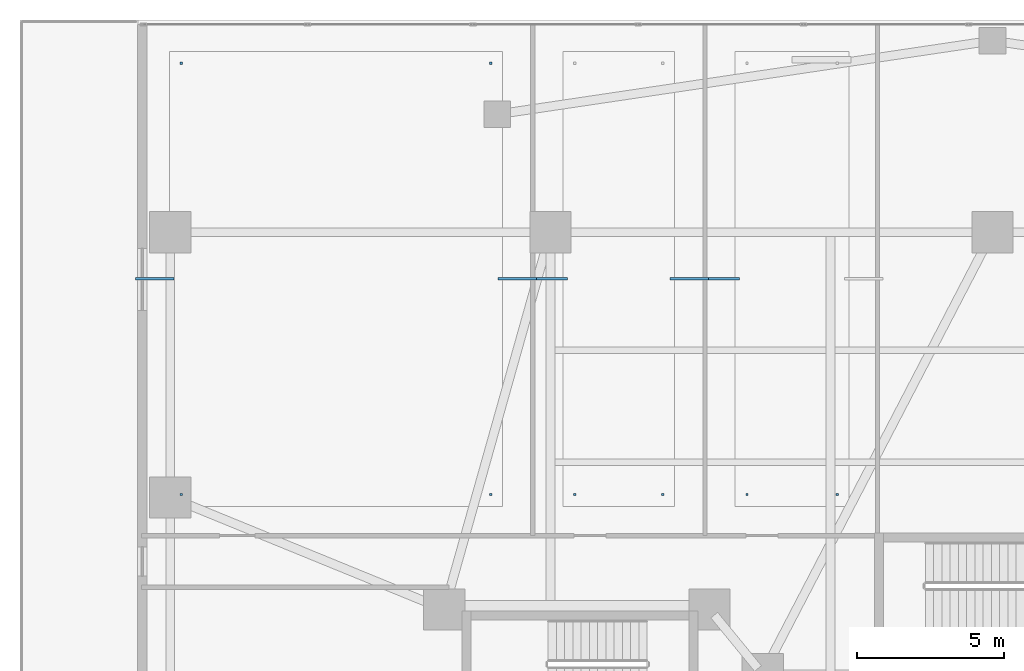
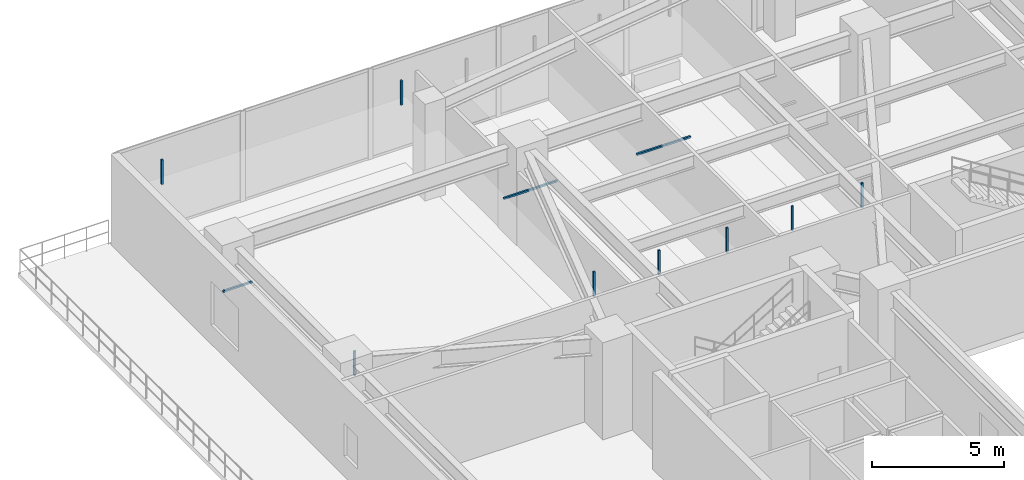
# One storey, part 23 of 29: 13 discrete accessories.
"""IFC4 building model written with IfcOpenShell, lengths in metres."""

from ifc_helpers import new_model, si_unit, direction, frame, origin, origin_2d, place, context, subcontext, project, spatial, rectangle, extrude, material, type_object, element, save


model = new_model("IFC4")

# Units and contexts
model_context = context("Model", 3, precision=1e-05, world=origin(), true_north=direction((0.0, 1.0)))
body_context = subcontext(model_context, "Body", "Model", "MODEL_VIEW")
ifc_project = project(units=[si_unit("LENGTHUNIT", "METRE"), si_unit("AREAUNIT", "SQUARE_METRE"), si_unit("VOLUMEUNIT", "CUBIC_METRE"), si_unit("PLANEANGLEUNIT", "RADIAN"), si_unit("MASSUNIT", "GRAM", prefix="KILO")], contexts=[model_context])

# Site, building, storey
site_placement = place(None, origin())
site = spatial("IfcSite", under=ifc_project, at=site_placement, CompositionType="ELEMENT")
building_placement = place(site_placement, origin())
building = spatial("IfcBuilding", under=site, at=building_placement, Name="Tarnavaz Court Tower", CompositionType="ELEMENT")
storey_placement = place(building_placement, frame((0.0, 0.0, 5.39990234375)))
storey = spatial("IfcBuildingStorey", under=building, at=storey_placement, Name="L01", CompositionType="ELEMENT", Elevation=5.39990234375)

# Discrete accessories
ifc_material = material(Name="Anodised Aluminium 6063-T6", Category="aluminium")
discrete_accessory_type = type_object("IfcDiscreteAccessoryType", Name="DA-BRKT-ALU", PredefinedType="BRACKET", material=ifc_material)
for number, where, z_axis, x_axis, name in (
    (1, (-27.530029296875, 13.89990234375, 3.09033203125), (0.0, 0.0, 1.0), (1.0, 0.0, 0.0), "L01 Ceiling Suspension Hanger Bracket 01-1"),
    (2, (-17.030029296875, 13.89990234375, 3.09033203125), (0.0, 0.0, 1.0), (1.0, 0.0, 0.0), "L01 Ceiling Suspension Hanger Bracket 01-2"),
    (3, (-17.030029296875, 28.530029296875, 3.09033203125), (0.0, 0.0, 1.0), (1.0, 0.0, 0.0), "L01 Ceiling Suspension Hanger Bracket 01-3"),
    (4, (-27.530029296875, 28.530029296875, 3.09033203125), (0.0, 0.0, 1.0), (1.0, 0.0, 0.0), "L01 Ceiling Suspension Hanger Bracket 01-4"),
):
    element("IfcDiscreteAccessory", number, at=place(storey_placement, frame(where, z_axis=z_axis, x_axis=x_axis)), inside=storey, type_object=discrete_accessory_type, Name=name, PredefinedType="BRACKET", context=body_context, shape_type="SweptSolid", body=[
        extrude(rectangle(XDim=0.080078125, YDim=0.080078125, at=origin_2d()), origin(), (0.0, 0.0, 1.0), 1.139892578125),
    ])
for number, where, z_axis, x_axis, name in (
    (5, (-28.429931640625, 21.215087890625, 3.052490234375), (0.0, 0.0, 1.0), (1.0, 0.0, 0.0), "L01 Ceiling Perimeter Wall-Tie Bracket 01-1"),
    (6, (-16.1298828125, 21.215087890625, 3.052490234375), (0.0, 0.0, 1.0), (1.0, 0.0, 0.0), "L01 Ceiling Perimeter Wall-Tie Bracket 01-2"),
):
    element("IfcDiscreteAccessory", number, at=place(storey_placement, frame(where, z_axis=z_axis, x_axis=x_axis)), inside=storey, type_object=discrete_accessory_type, Name=name, PredefinedType="BRACKET", context=body_context, shape_type="SweptSolid", body=[
        extrude(rectangle(XDim=1.300048828125, YDim=0.080078125, at=origin_2d()), origin(), (0.0, 0.0, 1.0), 0.080078125),
    ])
for number, where, z_axis, x_axis, name in (
    (7, (-14.169921875, 13.89990234375, 3.09033203125), (0.0, 0.0, 1.0), (1.0, 0.0, 0.0), "L01 Ceiling Suspension Hanger Bracket 02-1"),
    (8, (-11.18994140625, 13.89990234375, 3.09033203125), (0.0, 0.0, 1.0), (1.0, 0.0, 0.0), "L01 Ceiling Suspension Hanger Bracket 02-2"),
):
    element("IfcDiscreteAccessory", number, at=place(storey_placement, frame(where, z_axis=z_axis, x_axis=x_axis)), inside=storey, type_object=discrete_accessory_type, Name=name, PredefinedType="BRACKET", context=body_context, shape_type="SweptSolid", body=[
        extrude(rectangle(XDim=0.080078125, YDim=0.080078125, at=origin_2d()), origin(), (0.0, 0.0, 1.0), 1.139892578125),
    ])
for number, where, z_axis, x_axis, name in (
    (9, (-15.070068359375, 21.215087890625, 3.052490234375), (0.0, 0.0, 1.0), (1.0, 0.0, 0.0), "L01 Ceiling Perimeter Wall-Tie Bracket 02-1"),
    (10, (-10.2900390625, 21.215087890625, 3.052490234375), (0.0, 0.0, 1.0), (1.0, 0.0, 0.0), "L01 Ceiling Perimeter Wall-Tie Bracket 02-2"),
):
    element("IfcDiscreteAccessory", number, at=place(storey_placement, frame(where, z_axis=z_axis, x_axis=x_axis)), inside=storey, type_object=discrete_accessory_type, Name=name, PredefinedType="BRACKET", context=body_context, shape_type="SweptSolid", body=[
        extrude(rectangle(XDim=1.300048828125, YDim=0.080078125, at=origin_2d()), origin(), (0.0, 0.0, 1.0), 0.080078125),
    ])
for number, where, z_axis, x_axis, name in (
    (11, (-8.330078125, 13.89990234375, 3.09033203125), (0.0, 0.0, 1.0), (1.0, 0.0, 0.0), "L01 Ceiling Suspension Hanger Bracket 03-1"),
    (12, (-5.27001953125, 13.89990234375, 3.09033203125), (0.0, 0.0, 1.0), (1.0, 0.0, 0.0), "L01 Ceiling Suspension Hanger Bracket 03-2"),
):
    element("IfcDiscreteAccessory", number, at=place(storey_placement, frame(where, z_axis=z_axis, x_axis=x_axis)), inside=storey, type_object=discrete_accessory_type, Name=name, PredefinedType="BRACKET", context=body_context, shape_type="SweptSolid", body=[
        extrude(rectangle(XDim=0.080078125, YDim=0.080078125, at=origin_2d()), origin(), (0.0, 0.0, 1.0), 1.139892578125),
    ])
discrete_accessory_placement = place(storey_placement, frame((-9.22998046875, 21.215087890625, 3.052490234375), z_axis=(0.0, 0.0, 1.0), x_axis=(1.0, 0.0, 0.0)))
element("IfcDiscreteAccessory", 13, at=discrete_accessory_placement, inside=storey, type_object=discrete_accessory_type, Name="L01 Ceiling Perimeter Wall-Tie Bracket 03-1", PredefinedType="BRACKET", context=body_context, shape_type="SweptSolid", body=[
    extrude(rectangle(XDim=1.300048828125, YDim=0.080078125, at=origin_2d()), origin(), (0.0, 0.0, 1.0), 0.080078125),
])

save(model, "model.ifc")
